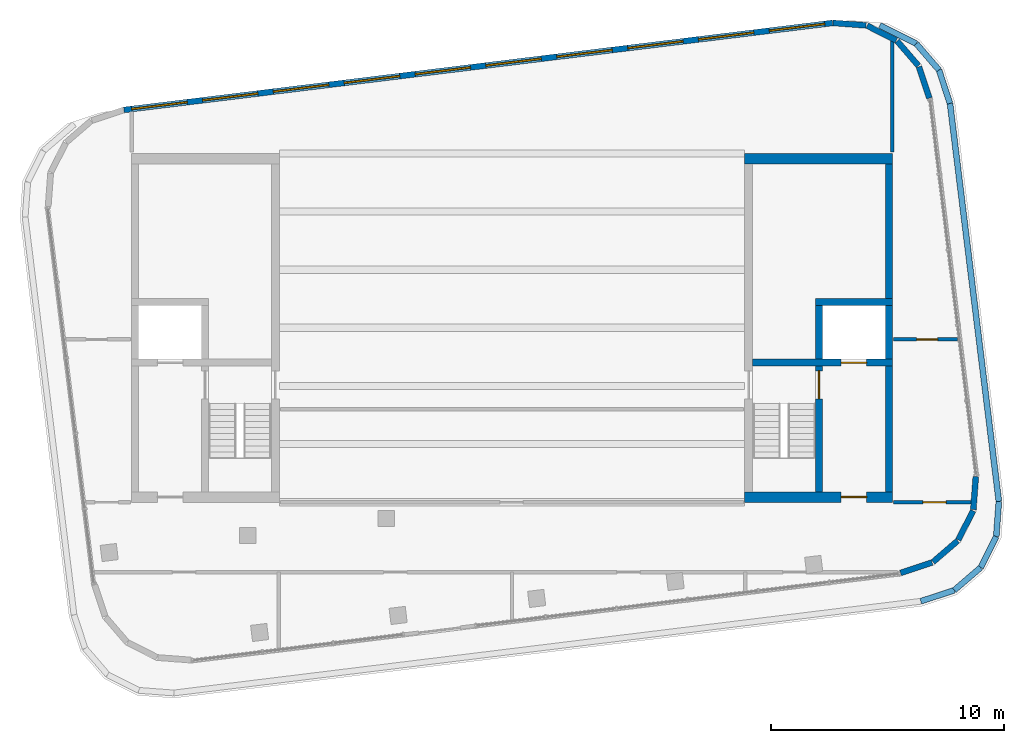
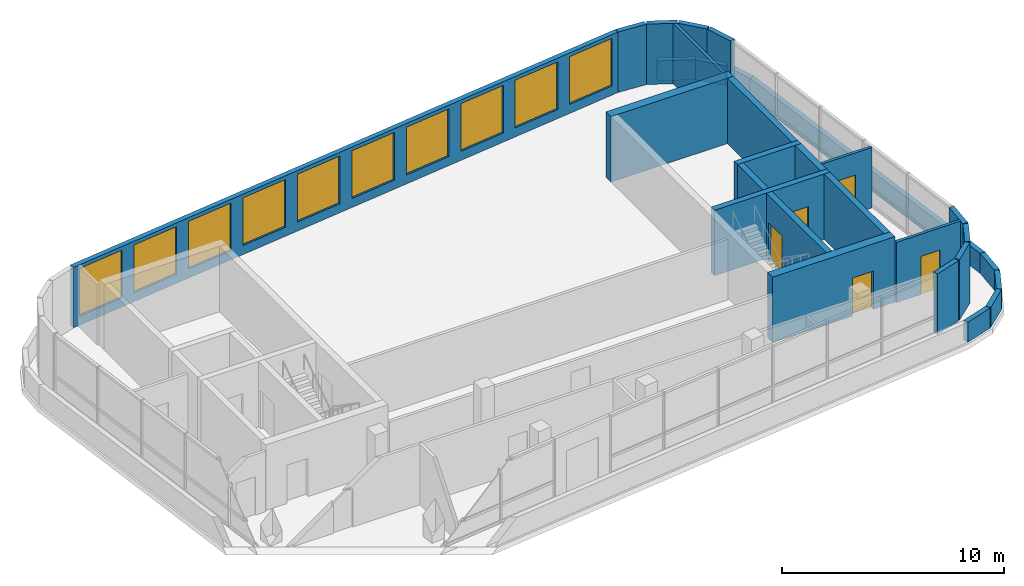
# One storey, part 5 of 7: 29 walls, 10 windows, 5 doors, 15 openings.
"""IFC4 building model written with IfcOpenShell, lengths in metres."""

from ifc_helpers import new_model, si_unit, direction, frame, frame_2d, origin, place, context, subcontext, project, spatial, rectangle, extrude, material, layer, layer_set, type_object, element, fill, save


model = new_model("IFC4")

# Units and contexts
model_context = context("Model", 3, precision=1e-05, world=origin(), true_north=direction((0.0, 1.0)))
body_context = subcontext(model_context, "Body", "Model", "MODEL_VIEW")
ifc_project = project(units=[si_unit("LENGTHUNIT", "METRE"), si_unit("AREAUNIT", "SQUARE_METRE"), si_unit("VOLUMEUNIT", "CUBIC_METRE"), si_unit("PLANEANGLEUNIT", "RADIAN"), si_unit("MASSUNIT", "GRAM", prefix="KILO")], contexts=[model_context])

# Site, building, storey
site_placement = place(None, origin())
site = spatial("IfcSite", under=ifc_project, at=site_placement, CompositionType="ELEMENT")
building_placement = place(site_placement, origin())
building = spatial("IfcBuilding", under=site, at=building_placement, Name="Torana Hotel and Residences", CompositionType="ELEMENT")
storey_placement = place(building_placement, frame((0.0, 0.0, 353.800048828125)))
storey = spatial("IfcBuildingStorey", under=building, at=storey_placement, Name="C3", CompositionType="ELEMENT", Elevation=353.800048828125)

# Walls
ifc_material_1 = material(Name="Concrete C50/60", Category="concrete")
ifc_layer_1 = layer(ifc_material_1, 0.300048828125)
ifc_layer_set_1 = layer_set([ifc_layer_1], Name="CORE WALL 300 C50/60")
wall_type_1 = type_object("IfcWallType", Name="CORE WALL 300 C50/60", PredefinedType="SHEAR", material=ifc_layer_set_1)
wall_1_placement = place(storey_placement, frame((16.199951171875, -6.25, 0.0), z_axis=(0.0, 0.0, 1.0), x_axis=(0.0, 1.0, 0.0)))
element("IfcWall", 1, at=wall_1_placement, inside=storey, type_object=wall_type_1, Name="Core wall E outer-n", PredefinedType="SHEAR", context=body_context, shape_type="SweptSolid", body=[
    extrude(rectangle(XDim=5.800048828125, YDim=0.300048828125, at=frame_2d((2.89990234375, 0.0))), origin(), (0.0, 0.0, 1.0), 3.599853515625),
])
wall_2_placement = place(storey_placement, frame((16.199951171875, -14.550048828125, 0.0), z_axis=(0.0, 0.0, 1.0), x_axis=(0.0, 1.0, 0.0)))
element("IfcWall", 2, at=wall_2_placement, inside=storey, type_object=wall_type_1, Name="Core wall E outer-s", PredefinedType="SHEAR", context=body_context, shape_type="SweptSolid", body=[
    extrude(rectangle(XDim=5.400146484375, YDim=0.300048828125, at=frame_2d((2.7001953125, 0.0))), origin(), (0.0, 0.0, 1.0), 3.599853515625),
])

# Wall, opening, door
wall_3_placement = place(storey_placement, frame((10.35009765625, -9.0, 0.0), z_axis=(0.0, 0.0, 1.0), x_axis=(1.0, 0.0, 0.0)))
wall_3 = element("IfcWall", 3, at=wall_3_placement, inside=storey, type_object=wall_type_1, Name="Core wall E band", PredefinedType="SHEAR", context=body_context, shape_type="SweptSolid", body=[
    extrude(rectangle(XDim=6.0, YDim=0.300048828125, at=frame_2d((3.0, 0.0))), origin(), (0.0, 0.0, 1.0), 3.599853515625),
])
opening_1_placement = place(wall_3_placement, frame((3.800048828125, 0.0, 0.0)))
opening_1 = element("IfcOpeningElement", 4, at=opening_1_placement, cuts=wall_3, Name="Opening LD", PredefinedType="OPENING", context=body_context, shape_type="SweptSolid", body=[
    extrude(rectangle(XDim=1.10009765625, YDim=2.10009765625, at=frame_2d((0.550048828125, 1.050048828125))), frame((0.0, 0.159912109375, 0.0), z_axis=(0.0, -1.0, 0.0), x_axis=(1.0, 0.0, 0.0)), (0.0, 0.0, 1.0), 0.320068359375),
])
ifc_material_2 = material(Name="Stainless steel 316", Category="steel")
door_type_1 = type_object("IfcDoorType", Name="LIFT LANDING DOOR LD 1100x2100", OperationType="DOUBLE_DOOR_SLIDING", PredefinedType="USERDEFINED", material=ifc_material_2)
door_1_placement = place(opening_1_placement, origin())
door_1 = element("IfcDoor", 5, at=door_1_placement, inside=storey, type_object=door_type_1, Name="Lift landing door FF2 C3", ObjectType="LIFT LANDING DOOR", OperationType="DOUBLE_DOOR_SLIDING", OverallHeight=2.10009765625, OverallWidth=1.10009765625, PredefinedType="USERDEFINED", context=body_context, shape_type="SweptSolid", body=[
    extrude(rectangle(XDim=1.10009765625, YDim=2.10009765625, at=frame_2d((0.550048828125, 1.050048828125))), frame((0.0, 0.02490234375, 0.0), z_axis=(0.0, -1.0, 0.0), x_axis=(1.0, 0.0, 0.0)), (0.0, 0.0, 1.0), 0.050048828125),
])
fill(opening_1, door_1)

wall_4_placement = place(storey_placement, frame((13.199951171875, -14.550048828125, 0.0), z_axis=(0.0, 0.0, 1.0), x_axis=(0.0, 1.0, 0.0)))
wall_4 = element("IfcWall", 6, at=wall_4_placement, inside=storey, type_object=wall_type_1, Name="Core wall E x3.05-band", PredefinedType="SHEAR", context=body_context, shape_type="SweptSolid", body=[
    extrude(rectangle(XDim=5.400146484375, YDim=0.300048828125, at=frame_2d((2.7001953125, 0.0))), origin(), (0.0, 0.0, 1.0), 3.599853515625),
])
opening_2_placement = place(wall_4_placement, frame((4.0, 0.0, 0.0)))
opening_2 = element("IfcOpeningElement", 7, at=opening_2_placement, cuts=wall_4, Name="Opening C3-06", PredefinedType="OPENING", context=body_context, shape_type="SweptSolid", body=[
    extrude(rectangle(XDim=1.199951171875, YDim=2.10009765625, at=frame_2d((0.60009765625, 1.050048828125))), frame((0.0, 0.159912109375, 0.0), z_axis=(0.0, -1.0, 0.0), x_axis=(1.0, 0.0, 0.0)), (0.0, 0.0, 1.0), 0.320068359375),
])
ifc_material_3 = material(Name="Steel S235", Category="steel")
door_type_2 = type_object("IfcDoorType", Name="STAIR FIRE DOOR D3 1200x2100", OperationType="SINGLE_SWING_LEFT", PredefinedType="DOOR", material=ifc_material_3)
door_2_placement = place(opening_2_placement, origin())
door_2 = element("IfcDoor", 8, at=door_2_placement, inside=storey, type_object=door_type_2, Name="Stair-A-lobby door C3", OperationType="SINGLE_SWING_LEFT", OverallHeight=2.10009765625, OverallWidth=1.199951171875, PredefinedType="DOOR", context=body_context, shape_type="SweptSolid", body=[
    extrude(rectangle(XDim=1.199951171875, YDim=2.10009765625, at=frame_2d((0.60009765625, 1.050048828125))), frame((0.0, 0.02490234375, 0.0), z_axis=(0.0, -1.0, 0.0), x_axis=(1.0, 0.0, 0.0)), (0.0, 0.0, 1.0), 0.050048828125),
])
fill(opening_2, door_2)

# Walls
wall_5_placement = place(storey_placement, frame((13.050048828125, -6.39990234375, 0.0), z_axis=(0.0, 0.0, 1.0), x_axis=(1.0, 0.0, 0.0)))
element("IfcWall", 9, at=wall_5_placement, inside=storey, type_object=wall_type_1, Name="Core wall E row-S", PredefinedType="SHEAR", context=body_context, shape_type="SweptSolid", body=[
    extrude(rectangle(XDim=3.300048828125, YDim=0.300048828125, at=frame_2d((1.64990234375, 0.0))), origin(), (0.0, 0.0, 1.0), 3.599853515625),
])
for number, where, z_axis, x_axis, name in (
    (10, (13.199951171875, -8.85009765625, 0.0), (0.0, 0.0, 1.0), (0.0, 1.0, 0.0), "Core wall E x3.05-S"),
    (11, (16.199951171875, -8.85009765625, 0.0), (0.0, 0.0, 1.0), (0.0, 1.0, 0.0), "Core wall E x6.05-S"),
):
    element("IfcWall", number, at=place(storey_placement, frame(where, z_axis=z_axis, x_axis=x_axis)), inside=storey, type_object=wall_type_1, Name=name, PredefinedType="SHEAR", context=body_context, shape_type="SweptSolid", body=[
        extrude(rectangle(XDim=2.300048828125, YDim=0.300048828125, at=frame_2d((1.14990234375, 0.0))), origin(), (0.0, 0.0, 1.0), 3.599853515625),
    ])
ifc_material_4 = material(Name="Concrete C50/60", Category="concrete")
ifc_layer_2 = layer(ifc_material_4, 0.449951171875)
ifc_layer_set_2 = layer_set([ifc_layer_2], Name="CORE WALL 450 C50/60")
wall_type_2 = type_object("IfcWallType", Name="CORE WALL 450 C50/60", PredefinedType="SHEAR", material=ifc_layer_set_2)
wall_6_placement = place(storey_placement, frame((10.0, -0.22509765625, 0.0), z_axis=(0.0, 0.0, 1.0), x_axis=(1.0, 0.0, 0.0)))
element("IfcWall", 12, at=wall_6_placement, inside=storey, type_object=wall_type_2, Name="Core wall E rear", PredefinedType="SHEAR", context=body_context, shape_type="SweptSolid", body=[
    extrude(rectangle(XDim=6.35009765625, YDim=0.449951171875, at=frame_2d((3.175048828125, 0.0))), origin(), (0.0, 0.0, 1.0), 3.599853515625),
])

# Wall, opening, door
wall_7_placement = place(storey_placement, frame((10.0, -14.77490234375, 0.0), z_axis=(0.0, 0.0, 1.0), x_axis=(1.0, 0.0, 0.0)))
wall_7 = element("IfcWall", 13, at=wall_7_placement, inside=storey, type_object=wall_type_2, Name="Core wall E front", PredefinedType="SHEAR", context=body_context, shape_type="SweptSolid", body=[
    extrude(rectangle(XDim=6.35009765625, YDim=0.449951171875, at=frame_2d((3.175048828125, 0.0))), origin(), (0.0, 0.0, 1.0), 3.599853515625),
])
opening_3_placement = place(wall_7_placement, frame((4.14990234375, 0.0, 0.0)))
opening_3 = element("IfcOpeningElement", 14, at=opening_3_placement, cuts=wall_7, Name="Opening C3-05", PredefinedType="OPENING", context=body_context, shape_type="SweptSolid", body=[
    extrude(rectangle(XDim=1.10009765625, YDim=2.10009765625, at=frame_2d((0.550048828125, 1.050048828125))), frame((0.0, 0.23486328125, 0.0), z_axis=(0.0, -1.0, 0.0), x_axis=(1.0, 0.0, 0.0)), (0.0, 0.0, 1.0), 0.469970703125),
])
ifc_material_5 = material(Name="Steel S235", Category="steel")
door_type_3 = type_object("IfcDoorType", Name="FIRE-FIGHTING LOBBY DOOR D8 1100x2100", OperationType="SINGLE_SWING_LEFT", PredefinedType="DOOR", material=ifc_material_5)
door_3_placement = place(opening_3_placement, origin())
door_3 = element("IfcDoor", 15, at=door_3_placement, inside=storey, type_object=door_type_3, Name="FF-lobby door C3", OperationType="SINGLE_SWING_RIGHT", OverallHeight=2.10009765625, OverallWidth=1.10009765625, PredefinedType="DOOR", context=body_context, shape_type="SweptSolid", body=[
    extrude(rectangle(XDim=1.10009765625, YDim=2.10009765625, at=frame_2d((0.550048828125, 1.050048828125))), frame((0.0, 0.02490234375, 0.0), z_axis=(0.0, -1.0, 0.0), x_axis=(1.0, 0.0, 0.0)), (0.0, 0.0, 1.0), 0.050048828125),
])
fill(opening_3, door_3)

# Walls
ifc_material_6 = material(Name="Aluminium louvre wall", Category="aluminium")
ifc_layer_3 = layer(ifc_material_6, 0.25)
ifc_layer_set_3 = layer_set([ifc_layer_3], Name="EW3 LOUVRE WALL 250")
wall_type_3 = type_object("IfcWallType", Name="EW3 LOUVRE WALL 250", PredefinedType="SOLIDWALL", material=ifc_layer_set_3)
wall_8_placement = place(storey_placement, frame((17.9423828125, 2.373046875, 0.0), z_axis=(0.0, 0.0, 1.0), x_axis=(-0.313244554677, 0.949672495635, 0.0)))
element("IfcWall", 16, at=wall_8_placement, inside=storey, type_object=wall_type_3, Name="Louvre wall C3 e0.0", PredefinedType="SOLIDWALL", context=body_context, shape_type="SweptSolid", body=[
    extrude(rectangle(XDim=1.4248046875, YDim=0.25, at=frame_2d((0.71240234375, 0.0))), origin(), (0.0, 0.0, 1.0), 3.320068359375),
])
wall_9_placement = place(storey_placement, frame((17.47216796875, 3.7685546875, 0.0), z_axis=(0.0, 0.0, 1.0), x_axis=(-0.652742912325, 0.757579494449, 0.0)))
element("IfcWall", 17, at=wall_9_placement, inside=storey, type_object=wall_type_3, Name="Louvre wall C3 e0.1", PredefinedType="SOLIDWALL", context=body_context, shape_type="SweptSolid", body=[
    extrude(rectangle(XDim=1.399658203125, YDim=0.25, at=frame_2d((0.69970703125, 0.0))), origin(), (0.0, 0.0, 1.0), 3.320068359375),
])
wall_10_placement = place(storey_placement, frame((16.52001953125, 4.85888671875, 0.0), z_axis=(0.0, 0.0, 1.0), x_axis=(-0.892957383621, 0.450141212329, 0.0)))
element("IfcWall", 18, at=wall_10_placement, inside=storey, type_object=wall_type_3, Name="Louvre wall C3 e0.2", PredefinedType="SOLIDWALL", context=body_context, shape_type="SweptSolid", body=[
    extrude(rectangle(XDim=1.39990234375, YDim=0.25, at=frame_2d((0.699951171875, 0.0))), origin(), (0.0, 0.0, 1.0), 3.320068359375),
])
wall_11_placement = place(storey_placement, frame((15.22314453125, 5.501953125, 0.0), z_axis=(0.0, 0.0, 1.0), x_axis=(-0.997256522221, 0.074023164536, 0.0)))
element("IfcWall", 19, at=wall_11_placement, inside=storey, type_object=wall_type_3, Name="Louvre wall C3 e0.3", PredefinedType="SOLIDWALL", context=body_context, shape_type="SweptSolid", body=[
    extrude(rectangle(XDim=1.4248046875, YDim=0.25, at=frame_2d((0.71240234375, 0.0))), origin(), (0.0, 0.0, 1.0), 3.320068359375),
])

# Wall, openings, windows
wall_12_placement = place(storey_placement, frame((13.77783203125, 5.60693359375, 0.0), z_axis=(0.0, 0.0, 1.0), x_axis=(-0.992546967066, -0.121862702117, 0.0)))
wall_12 = element("IfcWall", 20, at=wall_12_placement, inside=storey, type_object=wall_type_3, Name="Louvre wall C3 e0.4", PredefinedType="SOLIDWALL", context=body_context, shape_type="SweptSolid", body=[
    extrude(rectangle(XDim=30.688232421875, YDim=0.25, at=frame_2d((15.34423828125, 0.0))), origin(), (0.0, 0.0, 1.0), 3.320068359375),
])
opening_4_placement = place(wall_12_placement, frame((0.33447265625, 0.0, 0.498046875)))
opening_4 = element("IfcOpeningElement", 21, at=opening_4_placement, cuts=wall_12, Name="Opening LV2", PredefinedType="OPENING", context=body_context, shape_type="SweptSolid", body=[
    extrude(rectangle(XDim=2.39990234375, YDim=2.6220703125, at=frame_2d((1.199951171875, 1.31103515625))), frame((0.0, 0.135009765625, 0.0), z_axis=(0.0, -1.0, 0.0), x_axis=(1.0, 0.0, 0.0)), (0.0, 0.0, 1.0), 0.27001953125),
])
opening_5_placement = place(wall_12_placement, frame((3.4033203125, 0.0, 0.498046875)))
opening_5 = element("IfcOpeningElement", 22, at=opening_5_placement, cuts=wall_12, Name="Opening LV2", PredefinedType="OPENING", context=body_context, shape_type="SweptSolid", body=[
    extrude(rectangle(XDim=2.39990234375, YDim=2.6220703125, at=frame_2d((1.199951171875, 1.31103515625))), frame((0.0, 0.135009765625, 0.0), z_axis=(0.0, -1.0, 0.0), x_axis=(1.0, 0.0, 0.0)), (0.0, 0.0, 1.0), 0.27001953125),
])
opening_6_placement = place(wall_12_placement, frame((6.471923828125, 0.0, 0.498046875)))
opening_6 = element("IfcOpeningElement", 23, at=opening_6_placement, cuts=wall_12, Name="Opening LV2", PredefinedType="OPENING", context=body_context, shape_type="SweptSolid", body=[
    extrude(rectangle(XDim=2.39990234375, YDim=2.6220703125, at=frame_2d((1.199951171875, 1.31103515625))), frame((0.0, 0.135009765625, 0.0), z_axis=(0.0, -1.0, 0.0), x_axis=(1.0, 0.0, 0.0)), (0.0, 0.0, 1.0), 0.27001953125),
])
opening_7_placement = place(wall_12_placement, frame((9.541015625, 0.0, 0.498046875)))
opening_7 = element("IfcOpeningElement", 24, at=opening_7_placement, cuts=wall_12, Name="Opening LV2", PredefinedType="OPENING", context=body_context, shape_type="SweptSolid", body=[
    extrude(rectangle(XDim=2.39990234375, YDim=2.6220703125, at=frame_2d((1.199951171875, 1.31103515625))), frame((0.0, 0.135009765625, 0.0), z_axis=(0.0, -1.0, 0.0), x_axis=(1.0, 0.0, 0.0)), (0.0, 0.0, 1.0), 0.27001953125),
])
opening_8_placement = place(wall_12_placement, frame((12.609619140625, 0.0, 0.498046875)))
opening_8 = element("IfcOpeningElement", 25, at=opening_8_placement, cuts=wall_12, Name="Opening LV2", PredefinedType="OPENING", context=body_context, shape_type="SweptSolid", body=[
    extrude(rectangle(XDim=2.39990234375, YDim=2.6220703125, at=frame_2d((1.199951171875, 1.31103515625))), frame((0.0, 0.135009765625, 0.0), z_axis=(0.0, -1.0, 0.0), x_axis=(1.0, 0.0, 0.0)), (0.0, 0.0, 1.0), 0.27001953125),
])
opening_9_placement = place(wall_12_placement, frame((15.678466796875, 0.0, 0.498046875)))
opening_9 = element("IfcOpeningElement", 26, at=opening_9_placement, cuts=wall_12, Name="Opening LV2", PredefinedType="OPENING", context=body_context, shape_type="SweptSolid", body=[
    extrude(rectangle(XDim=2.39990234375, YDim=2.6220703125, at=frame_2d((1.199951171875, 1.31103515625))), frame((0.0, 0.135009765625, 0.0), z_axis=(0.0, -1.0, 0.0), x_axis=(1.0, 0.0, 0.0)), (0.0, 0.0, 1.0), 0.27001953125),
])
opening_10_placement = place(wall_12_placement, frame((18.747314453125, 0.0, 0.498046875)))
opening_10 = element("IfcOpeningElement", 27, at=opening_10_placement, cuts=wall_12, Name="Opening LV2", PredefinedType="OPENING", context=body_context, shape_type="SweptSolid", body=[
    extrude(rectangle(XDim=2.39990234375, YDim=2.6220703125, at=frame_2d((1.199951171875, 1.31103515625))), frame((0.0, 0.135009765625, 0.0), z_axis=(0.0, -1.0, 0.0), x_axis=(1.0, 0.0, 0.0)), (0.0, 0.0, 1.0), 0.27001953125),
])
opening_11_placement = place(wall_12_placement, frame((21.816162109375, 0.0, 0.498046875)))
opening_11 = element("IfcOpeningElement", 28, at=opening_11_placement, cuts=wall_12, Name="Opening LV2", PredefinedType="OPENING", context=body_context, shape_type="SweptSolid", body=[
    extrude(rectangle(XDim=2.39990234375, YDim=2.6220703125, at=frame_2d((1.199951171875, 1.31103515625))), frame((0.0, 0.135009765625, 0.0), z_axis=(0.0, -1.0, 0.0), x_axis=(1.0, 0.0, 0.0)), (0.0, 0.0, 1.0), 0.27001953125),
])
opening_12_placement = place(wall_12_placement, frame((24.885009765625, 0.0, 0.498046875)))
opening_12 = element("IfcOpeningElement", 29, at=opening_12_placement, cuts=wall_12, Name="Opening LV2", PredefinedType="OPENING", context=body_context, shape_type="SweptSolid", body=[
    extrude(rectangle(XDim=2.39990234375, YDim=2.6220703125, at=frame_2d((1.199951171875, 1.31103515625))), frame((0.0, 0.135009765625, 0.0), z_axis=(0.0, -1.0, 0.0), x_axis=(1.0, 0.0, 0.0)), (0.0, 0.0, 1.0), 0.27001953125),
])
opening_13_placement = place(wall_12_placement, frame((27.953857421875, 0.0, 0.498046875)))
opening_13 = element("IfcOpeningElement", 30, at=opening_13_placement, cuts=wall_12, Name="Opening LV2", PredefinedType="OPENING", context=body_context, shape_type="SweptSolid", body=[
    extrude(rectangle(XDim=2.39990234375, YDim=2.6220703125, at=frame_2d((1.199951171875, 1.31103515625))), frame((0.0, 0.135009765625, 0.0), z_axis=(0.0, -1.0, 0.0), x_axis=(1.0, 0.0, 0.0)), (0.0, 0.0, 1.0), 0.27001953125),
])
ifc_material_7 = material(Name="Aluminium louvre blades", Category="aluminium")
window_type = type_object("IfcWindowType", Name="LV2 LOUVRE 2400x3600", PartitioningType="SINGLE_PANEL", PredefinedType="USERDEFINED", material=ifc_material_7)
window_1_placement = place(opening_4_placement, origin())
window_1 = element("IfcWindow", 31, at=window_1_placement, inside=storey, type_object=window_type, Name="Louvre C3", ObjectType="LOUVRE", OverallHeight=2.6220703125, OverallWidth=2.39990234375, PartitioningType="SINGLE_PANEL", PredefinedType="USERDEFINED", context=body_context, shape_type="SweptSolid", body=[
    extrude(rectangle(XDim=2.39990234375, YDim=2.6220703125, at=frame_2d((1.199951171875, 1.31103515625))), frame((0.0, 0.030029296875, 0.0), z_axis=(0.0, -1.0, 0.0), x_axis=(1.0, 0.0, 0.0)), (0.0, 0.0, 1.0), 0.06005859375),
])
fill(opening_4, window_1)
window_2_placement = place(opening_5_placement, origin())
window_2 = element("IfcWindow", 32, at=window_2_placement, inside=storey, type_object=window_type, Name="Louvre C3", ObjectType="LOUVRE", OverallHeight=2.6220703125, OverallWidth=2.39990234375, PartitioningType="SINGLE_PANEL", PredefinedType="USERDEFINED", context=body_context, shape_type="SweptSolid", body=[
    extrude(rectangle(XDim=2.39990234375, YDim=2.6220703125, at=frame_2d((1.199951171875, 1.31103515625))), frame((0.0, 0.030029296875, 0.0), z_axis=(0.0, -1.0, 0.0), x_axis=(1.0, 0.0, 0.0)), (0.0, 0.0, 1.0), 0.06005859375),
])
fill(opening_5, window_2)
window_3_placement = place(opening_6_placement, origin())
window_3 = element("IfcWindow", 33, at=window_3_placement, inside=storey, type_object=window_type, Name="Louvre C3", ObjectType="LOUVRE", OverallHeight=2.6220703125, OverallWidth=2.39990234375, PartitioningType="SINGLE_PANEL", PredefinedType="USERDEFINED", context=body_context, shape_type="SweptSolid", body=[
    extrude(rectangle(XDim=2.39990234375, YDim=2.6220703125, at=frame_2d((1.199951171875, 1.31103515625))), frame((0.0, 0.030029296875, 0.0), z_axis=(0.0, -1.0, 0.0), x_axis=(1.0, 0.0, 0.0)), (0.0, 0.0, 1.0), 0.06005859375),
])
fill(opening_6, window_3)
window_4_placement = place(opening_7_placement, origin())
window_4 = element("IfcWindow", 34, at=window_4_placement, inside=storey, type_object=window_type, Name="Louvre C3", ObjectType="LOUVRE", OverallHeight=2.6220703125, OverallWidth=2.39990234375, PartitioningType="SINGLE_PANEL", PredefinedType="USERDEFINED", context=body_context, shape_type="SweptSolid", body=[
    extrude(rectangle(XDim=2.39990234375, YDim=2.6220703125, at=frame_2d((1.199951171875, 1.31103515625))), frame((0.0, 0.030029296875, 0.0), z_axis=(0.0, -1.0, 0.0), x_axis=(1.0, 0.0, 0.0)), (0.0, 0.0, 1.0), 0.06005859375),
])
fill(opening_7, window_4)
window_5_placement = place(opening_8_placement, origin())
window_5 = element("IfcWindow", 35, at=window_5_placement, inside=storey, type_object=window_type, Name="Louvre C3", ObjectType="LOUVRE", OverallHeight=2.6220703125, OverallWidth=2.39990234375, PartitioningType="SINGLE_PANEL", PredefinedType="USERDEFINED", context=body_context, shape_type="SweptSolid", body=[
    extrude(rectangle(XDim=2.39990234375, YDim=2.6220703125, at=frame_2d((1.199951171875, 1.31103515625))), frame((0.0, 0.030029296875, 0.0), z_axis=(0.0, -1.0, 0.0), x_axis=(1.0, 0.0, 0.0)), (0.0, 0.0, 1.0), 0.06005859375),
])
fill(opening_8, window_5)
window_6_placement = place(opening_9_placement, origin())
window_6 = element("IfcWindow", 36, at=window_6_placement, inside=storey, type_object=window_type, Name="Louvre C3", ObjectType="LOUVRE", OverallHeight=2.6220703125, OverallWidth=2.39990234375, PartitioningType="SINGLE_PANEL", PredefinedType="USERDEFINED", context=body_context, shape_type="SweptSolid", body=[
    extrude(rectangle(XDim=2.39990234375, YDim=2.6220703125, at=frame_2d((1.199951171875, 1.31103515625))), frame((0.0, 0.030029296875, 0.0), z_axis=(0.0, -1.0, 0.0), x_axis=(1.0, 0.0, 0.0)), (0.0, 0.0, 1.0), 0.06005859375),
])
fill(opening_9, window_6)
window_7_placement = place(opening_10_placement, origin())
window_7 = element("IfcWindow", 37, at=window_7_placement, inside=storey, type_object=window_type, Name="Louvre C3", ObjectType="LOUVRE", OverallHeight=2.6220703125, OverallWidth=2.39990234375, PartitioningType="SINGLE_PANEL", PredefinedType="USERDEFINED", context=body_context, shape_type="SweptSolid", body=[
    extrude(rectangle(XDim=2.39990234375, YDim=2.6220703125, at=frame_2d((1.199951171875, 1.31103515625))), frame((0.0, 0.030029296875, 0.0), z_axis=(0.0, -1.0, 0.0), x_axis=(1.0, 0.0, 0.0)), (0.0, 0.0, 1.0), 0.06005859375),
])
fill(opening_10, window_7)
window_8_placement = place(opening_11_placement, origin())
window_8 = element("IfcWindow", 38, at=window_8_placement, inside=storey, type_object=window_type, Name="Louvre C3", ObjectType="LOUVRE", OverallHeight=2.6220703125, OverallWidth=2.39990234375, PartitioningType="SINGLE_PANEL", PredefinedType="USERDEFINED", context=body_context, shape_type="SweptSolid", body=[
    extrude(rectangle(XDim=2.39990234375, YDim=2.6220703125, at=frame_2d((1.199951171875, 1.31103515625))), frame((0.0, 0.030029296875, 0.0), z_axis=(0.0, -1.0, 0.0), x_axis=(1.0, 0.0, 0.0)), (0.0, 0.0, 1.0), 0.06005859375),
])
fill(opening_11, window_8)
window_9_placement = place(opening_12_placement, origin())
window_9 = element("IfcWindow", 39, at=window_9_placement, inside=storey, type_object=window_type, Name="Louvre C3", ObjectType="LOUVRE", OverallHeight=2.6220703125, OverallWidth=2.39990234375, PartitioningType="SINGLE_PANEL", PredefinedType="USERDEFINED", context=body_context, shape_type="SweptSolid", body=[
    extrude(rectangle(XDim=2.39990234375, YDim=2.6220703125, at=frame_2d((1.199951171875, 1.31103515625))), frame((0.0, 0.030029296875, 0.0), z_axis=(0.0, -1.0, 0.0), x_axis=(1.0, 0.0, 0.0)), (0.0, 0.0, 1.0), 0.06005859375),
])
fill(opening_12, window_9)
window_10_placement = place(opening_13_placement, origin())
window_10 = element("IfcWindow", 40, at=window_10_placement, inside=storey, type_object=window_type, Name="Louvre C3", ObjectType="LOUVRE", OverallHeight=2.6220703125, OverallWidth=2.39990234375, PartitioningType="SINGLE_PANEL", PredefinedType="USERDEFINED", context=body_context, shape_type="SweptSolid", body=[
    extrude(rectangle(XDim=2.39990234375, YDim=2.6220703125, at=frame_2d((1.199951171875, 1.31103515625))), frame((0.0, 0.030029296875, 0.0), z_axis=(0.0, -1.0, 0.0), x_axis=(1.0, 0.0, 0.0)), (0.0, 0.0, 1.0), 0.06005859375),
])
fill(opening_13, window_10)

# Walls
wall_13_placement = place(storey_placement, frame((16.70556640625, -18.03759765625, 0.0), z_axis=(0.0, 0.0, 1.0), x_axis=(0.949723461674, 0.313089997199, 0.0)))
element("IfcWall", 41, at=wall_13_placement, inside=storey, type_object=wall_type_3, Name="Louvre wall C3 e0.15", PredefinedType="SOLIDWALL", context=body_context, shape_type="SweptSolid", body=[
    extrude(rectangle(XDim=1.424560546875, YDim=0.25, at=frame_2d((0.71240234375, 0.0))), origin(), (0.0, 0.0, 1.0), 3.320068359375),
])
wall_14_placement = place(storey_placement, frame((18.10107421875, -17.5673828125, 0.0), z_axis=(0.0, 0.0, 1.0), x_axis=(0.757579494449, 0.652742912325, 0.0)))
element("IfcWall", 42, at=wall_14_placement, inside=storey, type_object=wall_type_3, Name="Louvre wall C3 e0.16", PredefinedType="SOLIDWALL", context=body_context, shape_type="SweptSolid", body=[
    extrude(rectangle(XDim=1.399658203125, YDim=0.25, at=frame_2d((0.69970703125, 0.0))), origin(), (0.0, 0.0, 1.0), 3.320068359375),
])
wall_15_placement = place(storey_placement, frame((19.19140625, -16.615234375, 0.0), z_axis=(0.0, 0.0, 1.0), x_axis=(0.450072232014, 0.892992153364, 0.0)))
element("IfcWall", 43, at=wall_15_placement, inside=storey, type_object=wall_type_3, Name="Louvre wall C3 e0.17", PredefinedType="SOLIDWALL", context=body_context, shape_type="SweptSolid", body=[
    extrude(rectangle(XDim=1.3994140625, YDim=0.25, at=frame_2d((0.69970703125, 0.0))), origin(), (0.0, 0.0, 1.0), 3.320068359375),
])
wall_16_placement = place(storey_placement, frame((19.83447265625, -15.318359375, 0.0), z_axis=(0.0, 0.0, 1.0), x_axis=(0.074035815757, 0.99725558308, 0.0)))
element("IfcWall", 44, at=wall_16_placement, inside=storey, type_object=wall_type_3, Name="Louvre wall C3 e0.18", PredefinedType="SOLIDWALL", context=body_context, shape_type="SweptSolid", body=[
    extrude(rectangle(XDim=1.424560546875, YDim=0.25, at=frame_2d((0.71240234375, 0.0))), origin(), (0.0, 0.0, 1.0), 3.320068359375),
])

# Wall, opening, door
ifc_material_8 = material(Name="Gypsum plaster")
ifc_layer_4 = layer(ifc_material_8, 0.014892578125, Name="Plaster", Category="finish")
ifc_material_9 = material(Name="Concrete blockwork", Category="masonry")
ifc_layer_5 = layer(ifc_material_9, 0.1201171875, Name="Blockwork", Category="structure")
ifc_layer_6 = layer(ifc_material_8, 0.014892578125, Name="Plaster", Category="finish")
ifc_layer_set_4 = layer_set([ifc_layer_4, ifc_layer_5, ifc_layer_6], Name="FIRE PARTITION 150 BLOCKWORK")
wall_type_4 = type_object("IfcWallType", Name="FIRE PARTITION 150 BLOCKWORK", PredefinedType="PARTITIONING", material=ifc_layer_set_4)
wall_17_placement = place(storey_placement, frame((16.39990234375, -15.0, 0.0), z_axis=(0.0, 0.0, 1.0), x_axis=(1.0, 0.0, 0.0)))
wall_17 = element("IfcWall", 45, at=wall_17_placement, inside=storey, type_object=wall_type_4, Name="Partition C3", PredefinedType="PARTITIONING", context=body_context, shape_type="SweptSolid", body=[
    extrude(rectangle(XDim=3.403076171875, YDim=0.14990234375, at=frame_2d((1.70166015625, 0.0))), origin(), (0.0, 0.0, 1.0), 3.320068359375),
])
opening_14_placement = place(wall_17_placement, frame((1.26611328125, 0.0, 0.0)))
opening_14 = element("IfcOpeningElement", 46, at=opening_14_placement, cuts=wall_17, Name="Opening C3-14", PredefinedType="OPENING", context=body_context, shape_type="SweptSolid", body=[
    extrude(rectangle(XDim=1.0, YDim=2.10009765625, at=frame_2d((0.5, 1.050048828125))), frame((0.0, 0.0849609375, 0.0), z_axis=(0.0, -1.0, 0.0), x_axis=(1.0, 0.0, 0.0)), (0.0, 0.0, 1.0), 0.169921875),
])
ifc_material_10 = material(Name="Steel S235", Category="steel")
door_type_4 = type_object("IfcDoorType", Name="CORE ROOM FIRE DOOR D14 1000x2100", OperationType="SINGLE_SWING_LEFT", PredefinedType="DOOR", material=ifc_material_10)
door_4_placement = place(opening_14_placement, origin())
door_4 = element("IfcDoor", 47, at=door_4_placement, inside=storey, type_object=door_type_4, Name="Door C3", OperationType="SINGLE_SWING_LEFT", OverallHeight=2.10009765625, OverallWidth=1.0, PredefinedType="DOOR", context=body_context, shape_type="SweptSolid", body=[
    extrude(rectangle(XDim=1.0, YDim=2.10009765625, at=frame_2d((0.5, 1.050048828125))), frame((0.0, 0.02490234375, 0.0), z_axis=(0.0, -1.0, 0.0), x_axis=(1.0, 0.0, 0.0)), (0.0, 0.0, 1.0), 0.050048828125),
])
fill(opening_14, door_4)

# Wall
ifc_material_11 = material(Name="Gypsum plasterboard")
ifc_layer_7 = layer(ifc_material_11, 0.012451171875, Name="Plasterboard", Category="finish")
ifc_layer_8 = layer(ifc_material_11, 0.012451171875, Name="Plasterboard", Category="finish")
ifc_material_12 = material(Name="Steel S280GD", Category="steel")
ifc_layer_9 = layer(ifc_material_12, 0.10009765625, Name="Steel studs with mineral wool", Category="insulation")
ifc_layer_10 = layer(ifc_material_11, 0.012451171875, Name="Plasterboard", Category="finish")
ifc_layer_11 = layer(ifc_material_11, 0.012451171875, Name="Plasterboard", Category="finish")
ifc_layer_set_5 = layer_set([ifc_layer_7, ifc_layer_8, ifc_layer_9, ifc_layer_10, ifc_layer_11], Name="PARTITION 150 PLASTERBOARD")
wall_type_5 = type_object("IfcWallType", Name="PARTITION 150 PLASTERBOARD", PredefinedType="PARTITIONING", material=ifc_layer_set_5)
wall_18_placement = place(storey_placement, frame((16.35009765625, 0.050048828125, 0.0), z_axis=(0.0, 0.0, 1.0), x_axis=(0.0, 1.0, 0.0)))
element("IfcWall", 48, at=wall_18_placement, inside=storey, type_object=wall_type_5, Name="Partition C3", PredefinedType="PARTITIONING", context=body_context, shape_type="SweptSolid", body=[
    extrude(rectangle(XDim=4.8330078125, YDim=0.14990234375, at=frame_2d((2.41650390625, 0.0))), origin(), (0.0, 0.0, 1.0), 3.320068359375),
])

# Wall, opening, door
wall_19_placement = place(storey_placement, frame((16.39990234375, -8.0, 0.0), z_axis=(0.0, 0.0, 1.0), x_axis=(1.0, 0.0, 0.0)))
wall_19 = element("IfcWall", 49, at=wall_19_placement, inside=storey, type_object=wall_type_5, Name="Partition C3", PredefinedType="PARTITIONING", context=body_context, shape_type="SweptSolid", body=[
    extrude(rectangle(XDim=2.762939453125, YDim=0.14990234375, at=frame_2d((1.38134765625, 0.0))), origin(), (0.0, 0.0, 1.0), 3.320068359375),
])
opening_15_placement = place(wall_19_placement, frame((0.9970703125, 0.0, 0.0)))
opening_15 = element("IfcOpeningElement", 50, at=opening_15_placement, cuts=wall_19, Name="Opening C3-15", PredefinedType="OPENING", context=body_context, shape_type="SweptSolid", body=[
    extrude(rectangle(XDim=0.89990234375, YDim=2.10009765625, at=frame_2d((0.449951171875, 1.050048828125))), frame((0.0, 0.0849609375, 0.0), z_axis=(0.0, -1.0, 0.0), x_axis=(1.0, 0.0, 0.0)), (0.0, 0.0, 1.0), 0.169921875),
])
ifc_material_13 = material(Name="Timber door, oiled ash", Category="wood")
door_type_5 = type_object("IfcDoorType", Name="ROOM DOOR D7 900x2100", OperationType="SINGLE_SWING_LEFT", PredefinedType="DOOR", material=ifc_material_13)
door_5_placement = place(opening_15_placement, origin())
door_5 = element("IfcDoor", 51, at=door_5_placement, inside=storey, type_object=door_type_5, Name="Door C3", OperationType="SINGLE_SWING_LEFT", OverallHeight=2.10009765625, OverallWidth=0.89990234375, PredefinedType="DOOR", context=body_context, shape_type="SweptSolid", body=[
    extrude(rectangle(XDim=0.89990234375, YDim=2.10009765625, at=frame_2d((0.449951171875, 1.050048828125))), frame((0.0, 0.02490234375, 0.0), z_axis=(0.0, -1.0, 0.0), x_axis=(1.0, 0.0, 0.0)), (0.0, 0.0, 1.0), 0.050048828125),
])
fill(opening_15, door_5)

# Walls
ifc_material_14 = material(Name="Aluminium coping with drip", Category="aluminium")
ifc_layer_12 = layer(ifc_material_14, 0.0029296875, Name="Coping flashing", Category="flashing")
ifc_material_15 = material(Name="Concrete C40/50 precast", Category="concrete")
ifc_layer_13 = layer(ifc_material_15, 0.00390625, Name="Cladding", Category="cladding")
ifc_material_16 = material(Name="Concrete C40/50", Category="concrete")
ifc_layer_14 = layer(ifc_material_16, 0.199951171875, Name="Wall", Category="structure")
ifc_material_17 = material(Name="Mineral wool insulation")
ifc_layer_15 = layer(ifc_material_17, 0.0400390625, Name="Insulation", Category="insulation")
ifc_material_18 = material(Name="Waterproofing upstand")
ifc_layer_16 = layer(ifc_material_18, 0.0029296875, Name="Upstand membrane", Category="membrane")
ifc_layer_set_6 = layer_set([ifc_layer_12, ifc_layer_13, ifc_layer_14, ifc_layer_15, ifc_layer_16], Name="PP1 PARAPET 250")
wall_type_6 = type_object("IfcWallType", Name="PP1 PARAPET 250", PredefinedType="PARAPET", material=ifc_layer_set_6)
wall_20_placement = place(storey_placement, frame((15.813232421875, 5.505126953125, 0.0), z_axis=(0.0, 0.0, 1.0), x_axis=(0.89297685158, -0.45010259113, 0.0)))
element("IfcWall", 52, at=wall_20_placement, inside=storey, type_object=wall_type_6, Name="Roof parapet C3 1", PredefinedType="PARAPET", context=body_context, shape_type="SweptSolid", body=[
    extrude(rectangle(XDim=1.75634765625, YDim=0.25, at=frame_2d((0.878173828125, 0.0))), origin(), (0.0, 0.0, 1.0), 1.099853515625),
])
wall_21_placement = place(storey_placement, frame((17.381591796875, 4.714599609375, 0.0), z_axis=(0.0, 0.0, 1.0), x_axis=(0.652742242304, -0.757580071749, 0.0)))
element("IfcWall", 53, at=wall_21_placement, inside=storey, type_object=wall_type_6, Name="Roof parapet C3 2", PredefinedType="PARAPET", context=body_context, shape_type="SweptSolid", body=[
    extrude(rectangle(XDim=1.49267578125, YDim=0.25, at=frame_2d((0.746337890625, 0.0))), origin(), (0.0, 0.0, 1.0), 1.099853515625),
])
wall_22_placement = place(storey_placement, frame((18.35595703125, 3.583740234375, 0.0), z_axis=(0.0, 0.0, 1.0), x_axis=(0.313131832198, -0.949709669143, 0.0)))
element("IfcWall", 54, at=wall_22_placement, inside=storey, type_object=wall_type_6, Name="Roof parapet C3 3", PredefinedType="PARAPET", context=body_context, shape_type="SweptSolid", body=[
    extrude(rectangle(XDim=1.514892578125, YDim=0.25, at=frame_2d((0.75732421875, 0.0))), origin(), (0.0, 0.0, 1.0), 1.099853515625),
])
wall_23_placement = place(storey_placement, frame((18.830322265625, 2.14501953125, 0.0), z_axis=(0.0, 0.0, 1.0), x_axis=(0.121867555864, -0.992546371122, 0.0)))
element("IfcWall", 55, at=wall_23_placement, inside=storey, type_object=wall_type_6, Name="Roof parapet C3 4", PredefinedType="PARAPET", context=body_context, shape_type="SweptSolid", body=[
    extrude(rectangle(XDim=17.236572265625, YDim=0.25, at=frame_2d((8.6181640625, 0.0))), origin(), (0.0, 0.0, 1.0), 1.099853515625),
])
wall_24_placement = place(storey_placement, frame((20.930908203125, -14.963134765625, 0.0), z_axis=(0.0, 0.0, 1.0), x_axis=(-0.074132878365, -0.997248372446, 0.0)))
element("IfcWall", 56, at=wall_24_placement, inside=storey, type_object=wall_type_6, Name="Roof parapet C3 5", PredefinedType="PARAPET", context=body_context, shape_type="SweptSolid", body=[
    extrude(rectangle(XDim=1.514892578125, YDim=0.25, at=frame_2d((0.75732421875, 0.0))), origin(), (0.0, 0.0, 1.0), 1.099853515625),
])
for number, where, z_axis, x_axis, name in (
    (57, (20.818603515625, -16.473876953125, 0.0), (0.0, 0.0, 1.0), (-0.450155503465, -0.892950179293, 0.0), "Roof parapet C3 6"),
    (58, (20.146728515625, -17.806640625, 0.0), (0.0, 0.0, 1.0), (-0.757510373134, -0.652823126577, 0.0), "Roof parapet C3 7"),
):
    element("IfcWall", number, at=place(storey_placement, frame(where, z_axis=z_axis, x_axis=x_axis)), inside=storey, type_object=wall_type_6, Name=name, PredefinedType="PARAPET", context=body_context, shape_type="SweptSolid", body=[
        extrude(rectangle(XDim=1.492431640625, YDim=0.25, at=frame_2d((0.74609375, 0.0))), origin(), (0.0, 0.0, 1.0), 1.099853515625),
    ])
wall_25_placement = place(storey_placement, frame((19.01611328125, -18.781005859375, 0.0), z_axis=(0.0, 0.0, 1.0), x_axis=(-0.949661734295, -0.313277178257, 0.0)))
element("IfcWall", 59, at=wall_25_placement, inside=storey, type_object=wall_type_6, Name="Roof parapet C3 8", PredefinedType="PARAPET", context=body_context, shape_type="SweptSolid", body=[
    extrude(rectangle(XDim=1.514892578125, YDim=0.25, at=frame_2d((0.75732421875, 0.0))), origin(), (0.0, 0.0, 1.0), 1.099853515625),
])

save(model, "model.ifc")
